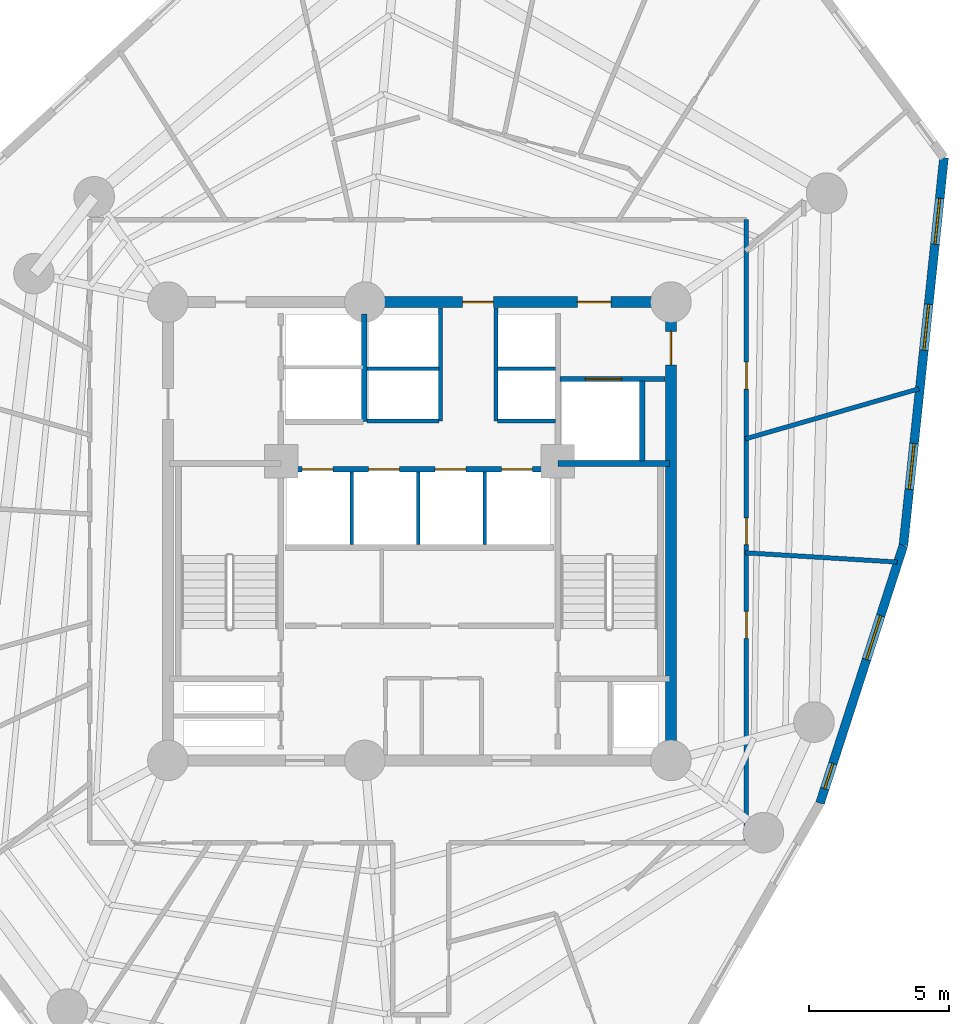
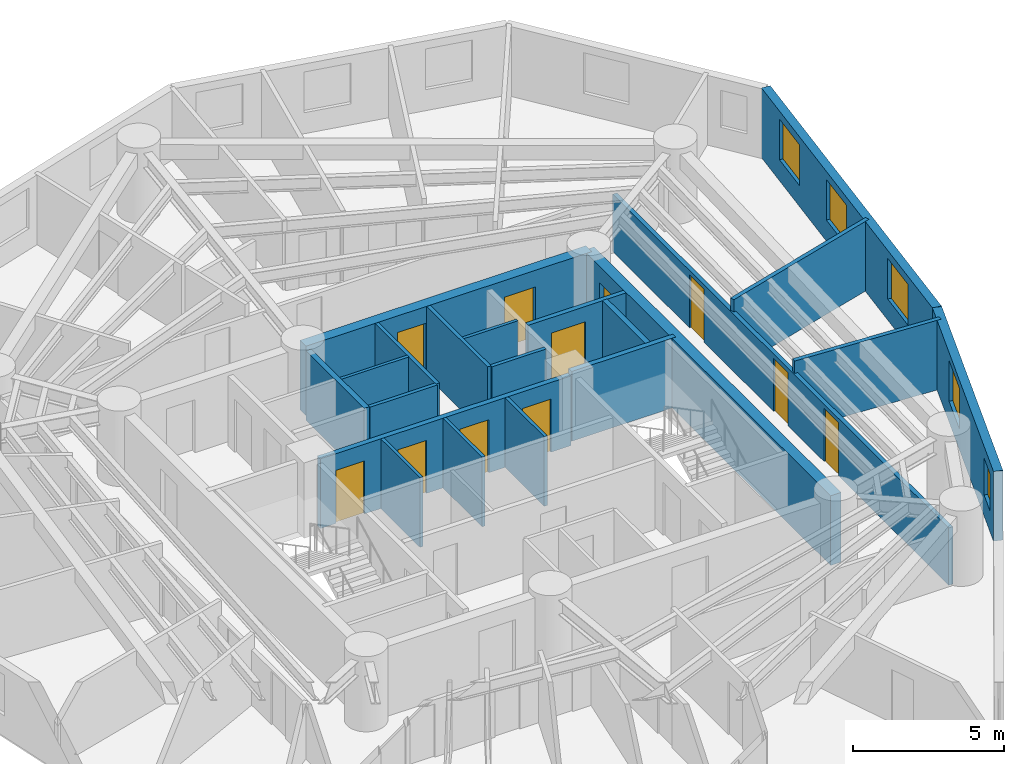
# One storey, part 5 of 8: 21 walls, 11 doors, 5 windows, 16 openings.
"""IFC4 building model written with IfcOpenShell, lengths in metres."""

from ifc_helpers import new_model, si_unit, direction, frame, frame_2d, origin, origin_with_axes, place, context, subcontext, project, spatial, rectangle, extrude, source, transform, mapped, material, layer, layer_set, type_object, element, fill, save


model = new_model("IFC4")

# Units and contexts
model_context = context("Model", 3, precision=1e-05, world=origin(), true_north=direction((0.0, 1.0)))
body_context = subcontext(model_context, "Body", "Model", "MODEL_VIEW")
ifc_project = project(units=[si_unit("LENGTHUNIT", "METRE"), si_unit("AREAUNIT", "SQUARE_METRE"), si_unit("VOLUMEUNIT", "CUBIC_METRE"), si_unit("PLANEANGLEUNIT", "RADIAN"), si_unit("MASSUNIT", "GRAM", prefix="KILO")], contexts=[model_context])

# Site, building, storey
site_placement = place(None, origin())
site = spatial("IfcSite", under=ifc_project, at=site_placement, CompositionType="ELEMENT")
building_placement = place(site_placement, origin())
building = spatial("IfcBuilding", under=site, at=building_placement, Name="Karkom Vertical University and Central Library", CompositionType="ELEMENT")
storey_placement = place(building_placement, frame((0.0, 0.0, 141.949951171875)))
storey = spatial("IfcBuildingStorey", under=building, at=storey_placement, Name="L40", CompositionType="ELEMENT", Elevation=141.949951171875)

# Wall, openings, windows
ifc_material_1 = material(Name="Brick-faced precast concrete C45/55", Category="masonry")
ifc_layer_1 = layer(ifc_material_1, 0.320068359375)
ifc_layer_set_1 = layer_set([ifc_layer_1], Name="Brick-faced precast concrete C45/55")
wall_type_1 = type_object("IfcWallType", Name="ENV-WL-BRK-320", PredefinedType="SOLIDWALL", material=ifc_layer_set_1)
wall_1_placement = place(storey_placement, frame((42.8359375, 16.7685546875, 0.0), z_axis=(0.0, 0.0, 1.0), x_axis=(0.307672133186, 0.951492437417, 0.0)))
wall_1 = element("IfcWall", 1, at=wall_1_placement, inside=storey, type_object=wall_type_1, Name="Level 40 Brick-Faced Precast Facade Wall 07", PredefinedType="SOLIDWALL", context=body_context, shape_type="SweptSolid", body=[
    extrude(rectangle(XDim=9.69677734375, YDim=0.320068359375, at=frame_2d((4.848388671875, 0.0))), origin(), (0.0, 0.0, 1.0), 2.824951171875),
])
opening_1_placement = place(wall_1_placement, frame((0.5478515625, 0.0, 0.85009765625)))
opening_1 = element("IfcOpeningElement", 2, at=opening_1_placement, cuts=wall_1, Name="Opening WN-12", PredefinedType="OPENING", context=body_context, shape_type="SweptSolid", body=[
    extrude(rectangle(XDim=0.949951171875, YDim=1.5, at=frame_2d((0.47509765625, 0.75))), frame((0.0, 0.169921875, 0.0), z_axis=(0.0, -1.0, 0.0), x_axis=(1.0, 0.0, 0.0)), (0.0, 0.0, 1.0), 0.340087890625),
])
opening_2_placement = place(wall_1_placement, frame((5.40380859375, 0.0, 0.85009765625)))
opening_2 = element("IfcOpeningElement", 3, at=opening_2_placement, cuts=wall_1, Name="Opening WN-06", PredefinedType="OPENING", context=body_context, shape_type="SweptSolid", body=[
    extrude(rectangle(XDim=1.64990234375, YDim=1.64990234375, at=frame_2d((0.824951171875, 0.824951171875))), frame((0.0, 0.169921875, 0.0), z_axis=(0.0, -1.0, 0.0), x_axis=(1.0, 0.0, 0.0)), (0.0, 0.0, 1.0), 0.340087890625),
])
ifc_material_2 = material(Name="Aluminium thermal-break frame with solar-control IGU", Category="aluminium")
window_type_1 = type_object("IfcWindowType", Name="ENV-WIN-WN-06", PartitioningType="SINGLE_PANEL", PredefinedType="WINDOW", material=ifc_material_2)
shared_shape_1 = source(origin_with_axes(), body_context, "Body", "SweptSolid", [
    extrude(rectangle(XDim=1.64990234375, YDim=1.64990234375, at=frame_2d((0.824951171875, 0.824951171875))), frame((0.0, 0.030029296875, 0.0), z_axis=(0.0, -1.0, 0.0), x_axis=(1.0, 0.0, 0.0)), (0.0, 0.0, 1.0), 0.06005859375),
])
window_1_placement = place(opening_2_placement, origin())
window_1 = element("IfcWindow", 4, at=window_1_placement, inside=storey, type_object=window_type_1, Name="Level 40 Punched Window 7.2", OverallHeight=1.64990234375, OverallWidth=1.64990234375, PartitioningType="SINGLE_PANEL", PredefinedType="WINDOW", context=body_context, shape_type="MappedRepresentation", body=[
    mapped(shared_shape_1, transform((0.0, 0.0, 0.0), scale=1.0)),
])
fill(opening_2, window_1)
window_type_2 = type_object("IfcWindowType", Name="ENV-WIN-WN-12", PartitioningType="SINGLE_PANEL", PredefinedType="WINDOW", material=ifc_material_2)
shared_shape_2 = source(origin_with_axes(), body_context, "Body", "SweptSolid", [
    extrude(rectangle(XDim=0.949951171875, YDim=1.5, at=frame_2d((0.47509765625, 0.75))), frame((0.0, 0.030029296875, 0.0), z_axis=(0.0, -1.0, 0.0), x_axis=(1.0, 0.0, 0.0)), (0.0, 0.0, 1.0), 0.06005859375),
])
window_2_placement = place(opening_1_placement, origin())
window_2 = element("IfcWindow", 5, at=window_2_placement, inside=storey, type_object=window_type_2, Name="Level 40 Punched Window 7.1", OverallHeight=1.5, OverallWidth=0.949951171875, PartitioningType="SINGLE_PANEL", PredefinedType="WINDOW", context=body_context, shape_type="MappedRepresentation", body=[
    mapped(shared_shape_2, transform((0.0, 0.0, 0.0), scale=1.0)),
])
fill(opening_1, window_2)

wall_2_placement = place(storey_placement, frame((45.8193359375, 25.994873046875, 0.0), z_axis=(0.0, 0.0, 1.0), x_axis=(0.104139122077, 0.994562739727, 0.0)))
wall_2 = element("IfcWall", 6, at=wall_2_placement, inside=storey, type_object=wall_type_1, Name="Level 40 Brick-Faced Precast Facade Wall 08", PredefinedType="SOLIDWALL", context=body_context, shape_type="SweptSolid", body=[
    extrude(rectangle(XDim=13.951416015625, YDim=0.320068359375, at=frame_2d((6.9755859375, 0.0))), origin(), (0.0, 0.0, 1.0), 2.824951171875),
])
opening_3_placement = place(wall_2_placement, frame((2.013916015625, 0.0, 0.85009765625)))
opening_3 = element("IfcOpeningElement", 7, at=opening_3_placement, cuts=wall_2, Name="Opening WN-06", PredefinedType="OPENING", context=body_context, shape_type="SweptSolid", body=[
    extrude(rectangle(XDim=1.64990234375, YDim=1.64990234375, at=frame_2d((0.824951171875, 0.824951171875))), frame((0.0, 0.169921875, 0.0), z_axis=(0.0, -1.0, 0.0), x_axis=(1.0, 0.0, 0.0)), (0.0, 0.0, 1.0), 0.340087890625),
])
opening_4_placement = place(wall_2_placement, frame((7.021484375, 0.0, 0.85009765625)))
opening_4 = element("IfcOpeningElement", 8, at=opening_4_placement, cuts=wall_2, Name="Opening WN-06", PredefinedType="OPENING", context=body_context, shape_type="SweptSolid", body=[
    extrude(rectangle(XDim=1.64990234375, YDim=1.64990234375, at=frame_2d((0.824951171875, 0.824951171875))), frame((0.0, 0.169921875, 0.0), z_axis=(0.0, -1.0, 0.0), x_axis=(1.0, 0.0, 0.0)), (0.0, 0.0, 1.0), 0.340087890625),
])
opening_5_placement = place(wall_2_placement, frame((10.838134765625, 0.0, 0.85009765625)))
opening_5 = element("IfcOpeningElement", 9, at=opening_5_placement, cuts=wall_2, Name="Opening WN-06", PredefinedType="OPENING", context=body_context, shape_type="SweptSolid", body=[
    extrude(rectangle(XDim=1.64990234375, YDim=1.64990234375, at=frame_2d((0.824951171875, 0.824951171875))), frame((0.0, 0.169921875, 0.0), z_axis=(0.0, -1.0, 0.0), x_axis=(1.0, 0.0, 0.0)), (0.0, 0.0, 1.0), 0.340087890625),
])
window_3_placement = place(opening_3_placement, origin())
window_3 = element("IfcWindow", 10, at=window_3_placement, inside=storey, type_object=window_type_1, Name="Level 40 Punched Window 8.1", OverallHeight=1.64990234375, OverallWidth=1.64990234375, PartitioningType="SINGLE_PANEL", PredefinedType="WINDOW", context=body_context, shape_type="MappedRepresentation", body=[
    mapped(shared_shape_1, transform((0.0, 0.0, 0.0), scale=1.0)),
])
fill(opening_3, window_3)
window_4_placement = place(opening_4_placement, origin())
window_4 = element("IfcWindow", 11, at=window_4_placement, inside=storey, type_object=window_type_1, Name="Level 40 Punched Window 8.2", OverallHeight=1.64990234375, OverallWidth=1.64990234375, PartitioningType="SINGLE_PANEL", PredefinedType="WINDOW", context=body_context, shape_type="MappedRepresentation", body=[
    mapped(shared_shape_1, transform((0.0, 0.0, 0.0), scale=1.0)),
])
fill(opening_4, window_4)
window_5_placement = place(opening_5_placement, origin())
window_5 = element("IfcWindow", 12, at=window_5_placement, inside=storey, type_object=window_type_1, Name="Level 40 Punched Window 8.3", OverallHeight=1.64990234375, OverallWidth=1.64990234375, PartitioningType="SINGLE_PANEL", PredefinedType="WINDOW", context=body_context, shape_type="MappedRepresentation", body=[
    mapped(shared_shape_1, transform((0.0, 0.0, 0.0), scale=1.0)),
])
fill(opening_5, window_5)

# Wall, openings, doors
ifc_material_3 = material(Name="Insulated metal-stud drywall 160mm", Category="gypsum")
ifc_layer_2 = layer(ifc_material_3, 0.159912109375)
ifc_layer_set_2 = layer_set([ifc_layer_2], Name="Insulated metal-stud drywall 160mm")
wall_type_2 = type_object("IfcWallType", Name="INT-WL-COR-160", PredefinedType="PARTITIONING", material=ifc_layer_set_2)
wall_3_placement = place(storey_placement, frame((40.199951171875, 37.64990234375, 0.0), z_axis=(0.0, 0.0, 1.0), x_axis=(0.0, -1.0, 0.0)))
wall_3 = element("IfcWall", 13, at=wall_3_placement, inside=storey, type_object=wall_type_2, Name="Level 40 Interior Partition Wall L40-CORW-CW-004", PredefinedType="PARTITIONING", context=body_context, shape_type="SweptSolid", body=[
    extrude(rectangle(XDim=22.2998046875, YDim=0.159912109375, at=frame_2d((11.14990234375, 0.0))), origin(), (0.0, 0.0, 1.0), 2.324951171875),
])
opening_6_placement = place(wall_3_placement, frame((14.02001953125, 0.0, 0.0)))
opening_6 = element("IfcOpeningElement", 14, at=opening_6_placement, cuts=wall_3, Name="Opening FD-RM2", PredefinedType="OPENING", context=body_context, shape_type="SweptSolid", body=[
    extrude(rectangle(XDim=0.9599609375, YDim=2.14990234375, at=frame_2d((0.47998046875, 1.074951171875))), frame((0.0, 0.08984375, 0.0), z_axis=(0.0, -1.0, 0.0), x_axis=(1.0, 0.0, 0.0)), (0.0, 0.0, 1.0), 0.179931640625),
])
opening_7_placement = place(wall_3_placement, frame((10.675048828125, 0.0, 0.0)))
opening_7 = element("IfcOpeningElement", 15, at=opening_7_placement, cuts=wall_3, Name="Opening D-RM1", PredefinedType="OPENING", context=body_context, shape_type="SweptSolid", body=[
    extrude(rectangle(XDim=0.949951171875, YDim=2.14990234375, at=frame_2d((0.47509765625, 1.074951171875))), frame((0.0, 0.08984375, 0.0), z_axis=(0.0, -1.0, 0.0), x_axis=(1.0, 0.0, 0.0)), (0.0, 0.0, 1.0), 0.179931640625),
])
opening_8_placement = place(wall_3_placement, frame((5.10009765625, 0.0, 0.0)))
opening_8 = element("IfcOpeningElement", 16, at=opening_8_placement, cuts=wall_3, Name="Opening FD-RM2", PredefinedType="OPENING", context=body_context, shape_type="SweptSolid", body=[
    extrude(rectangle(XDim=0.9599609375, YDim=2.14990234375, at=frame_2d((0.47998046875, 1.074951171875))), frame((0.0, 0.08984375, 0.0), z_axis=(0.0, -1.0, 0.0), x_axis=(1.0, 0.0, 0.0)), (0.0, 0.0, 1.0), 0.179931640625),
])
ifc_material_4 = material(Name="Fire-rated oak veneer door", Category="wood")
door_type_1 = type_object("IfcDoorType", Name="INT-DR-FRM2", OperationType="NOTDEFINED", PredefinedType="DOOR", material=ifc_material_4)
shared_shape_3 = source(origin_with_axes(), body_context, "Body", "SweptSolid", [
    extrude(rectangle(XDim=0.9599609375, YDim=2.14990234375, at=frame_2d((0.47998046875, 1.074951171875))), frame((0.0, 0.02490234375, 0.0), z_axis=(0.0, -1.0, 0.0), x_axis=(1.0, 0.0, 0.0)), (0.0, 0.0, 1.0), 0.050048828125),
])
door_1_placement = place(opening_6_placement, origin())
door_1 = element("IfcDoor", 17, at=door_1_placement, inside=storey, type_object=door_type_1, Name="Level 40 Room Entry Door 110", OperationType="SINGLE_SWING_LEFT", OverallHeight=2.14990234375, OverallWidth=0.9599609375, PredefinedType="DOOR", context=body_context, shape_type="MappedRepresentation", body=[
    mapped(shared_shape_3, transform((0.0, 0.0, 0.0), scale=1.0)),
])
fill(opening_6, door_1)
door_2_placement = place(opening_8_placement, origin())
door_2 = element("IfcDoor", 18, at=door_2_placement, inside=storey, type_object=door_type_1, Name="Level 40 Room Entry Door 130", OperationType="SINGLE_SWING_LEFT", OverallHeight=2.14990234375, OverallWidth=0.9599609375, PredefinedType="DOOR", context=body_context, shape_type="MappedRepresentation", body=[
    mapped(shared_shape_3, transform((0.0, 0.0, 0.0), scale=1.0)),
])
fill(opening_8, door_2)
ifc_material_5 = material(Name="Solid-core oak veneer door", Category="wood")
door_type_2 = type_object("IfcDoorType", Name="INT-DR-RM1", OperationType="NOTDEFINED", PredefinedType="DOOR", material=ifc_material_5)
shared_shape_4 = source(origin_with_axes(), body_context, "Body", "SweptSolid", [
    extrude(rectangle(XDim=0.949951171875, YDim=2.14990234375, at=frame_2d((0.47509765625, 1.074951171875))), frame((0.0, 0.02490234375, 0.0), z_axis=(0.0, -1.0, 0.0), x_axis=(1.0, 0.0, 0.0)), (0.0, 0.0, 1.0), 0.050048828125),
])
door_3_placement = place(opening_7_placement, origin())
door_3 = element("IfcDoor", 19, at=door_3_placement, inside=storey, type_object=door_type_2, Name="Level 40 Room Entry Door 120", OperationType="SINGLE_SWING_RIGHT", OverallHeight=2.14990234375, OverallWidth=0.949951171875, PredefinedType="DOOR", context=body_context, shape_type="MappedRepresentation", body=[
    mapped(shared_shape_4, transform((0.0, 0.0, 0.0), scale=1.0)),
])
fill(opening_7, door_3)

# Walls
wall_4_placement = place(storey_placement, frame((40.171142578125, 29.80712890625, 0.0), z_axis=(0.0, 0.0, 1.0), x_axis=(0.960768592646, 0.277351241904, 0.0)))
element("IfcWall", 20, at=wall_4_placement, inside=storey, type_object=wall_type_2, Name="Level 40 Interior Partition Wall L40-PW-015", PredefinedType="PARTITIONING", context=body_context, shape_type="SweptSolid", body=[
    extrude(rectangle(XDim=6.45849609375, YDim=0.159912109375, at=frame_2d((3.229248046875, 0.0))), origin(), (0.0, 0.0, 1.0), 2.824951171875),
])
wall_5_placement = place(storey_placement, frame((40.170166015625, 25.728759765625, 0.0), z_axis=(0.0, 0.0, 1.0), x_axis=(0.998147818111, -0.060835295679, 0.0)))
element("IfcWall", 21, at=wall_5_placement, inside=storey, type_object=wall_type_2, Name="Level 40 Interior Partition Wall L40-PW-014", PredefinedType="PARTITIONING", context=body_context, shape_type="SweptSolid", body=[
    extrude(rectangle(XDim=5.437744140625, YDim=0.159912109375, at=frame_2d((2.71875, 0.0))), origin(), (0.0, 0.0, 1.0), 2.824951171875),
])
ifc_material_6 = material(Name="Moisture-resistant drywall 120mm", Category="gypsum")
ifc_layer_3 = layer(ifc_material_6, 0.1201171875)
ifc_layer_set_3 = layer_set([ifc_layer_3], Name="Moisture-resistant drywall 120mm")
wall_type_3 = type_object("IfcWallType", Name="INT-WL-INT-120H", PredefinedType="PARTITIONING", material=ifc_layer_set_3)
for number, where, z_axis, x_axis, name in (
    (22, (26.080078125, 26.02001953125, 0.0), (0.0, 0.0, 1.0), (0.0, 1.0, 0.0), "Level 40 Interior Partition Wall L40-CW-PM-DIV1"),
    (23, (28.4599609375, 26.02001953125, 0.0), (0.0, 0.0, 1.0), (0.0, 1.0, 0.0), "Level 40 Interior Partition Wall L40-CW-PM-DIV2"),
    (24, (30.840087890625, 26.02001953125, 0.0), (0.0, 0.0, 1.0), (0.0, 1.0, 0.0), "Level 40 Interior Partition Wall L40-CW-PM-DIV3"),
):
    element("IfcWall", number, at=place(storey_placement, frame(where, z_axis=z_axis, x_axis=x_axis)), inside=storey, type_object=wall_type_3, Name=name, PredefinedType="PARTITIONING", context=body_context, shape_type="SweptSolid", body=[
        extrude(rectangle(XDim=2.60009765625, YDim=0.1201171875, at=frame_2d((1.300048828125, 0.0))), origin(), (0.0, 0.0, 1.0), 2.824951171875),
    ])
wall_6_placement = place(storey_placement, frame((26.6201171875, 32.320068359375, 0.0), z_axis=(0.0, 0.0, 1.0), x_axis=(1.0, 0.0, 0.0)))
element("IfcWall", 25, at=wall_6_placement, inside=storey, type_object=wall_type_3, Name="Level 40 Interior Partition Wall L40-CW-PH-MW", PredefinedType="PARTITIONING", context=body_context, shape_type="SweptSolid", body=[
    extrude(rectangle(XDim=2.579833984375, YDim=0.1201171875, at=frame_2d((1.2900390625, 0.0))), origin(), (0.0, 0.0, 1.0), 2.824951171875),
])
wall_7_placement = place(storey_placement, frame((31.300048828125, 32.320068359375, 0.0), z_axis=(0.0, 0.0, 1.0), x_axis=(1.0, 0.0, 0.0)))
element("IfcWall", 26, at=wall_7_placement, inside=storey, type_object=wall_type_3, Name="Level 40 Interior Partition Wall L40-CW-PH-ME", PredefinedType="PARTITIONING", context=body_context, shape_type="SweptSolid", body=[
    extrude(rectangle(XDim=2.074951171875, YDim=0.1201171875, at=frame_2d((1.03759765625, 0.0))), origin(), (0.0, 0.0, 1.0), 2.824951171875),
])
ifc_material_7 = material(Name="Metal-stud gypsum partition 140mm", Category="gypsum")
ifc_layer_4 = layer(ifc_material_7, 0.139892578125)
ifc_layer_set_4 = layer_set([ifc_layer_4], Name="Metal-stud gypsum partition 140mm")
wall_type_4 = type_object("IfcWallType", Name="INT-WL-SUB-140H", PredefinedType="PARTITIONING", material=ifc_layer_set_4)
for number, where, z_axis, x_axis, name in (
    (27, (29.260009765625, 30.449951171875, 0.0), (0.0, 0.0, 1.0), (0.0, 1.0, 0.0), "Level 40 Interior Partition Wall L40-CW-PH-W"),
    (28, (31.239990234375, 30.449951171875, 0.0), (0.0, 0.0, 1.0), (0.0, 1.0, 0.0), "Level 40 Interior Partition Wall L40-CW-PH-E"),
):
    element("IfcWall", number, at=place(storey_placement, frame(where, z_axis=z_axis, x_axis=x_axis)), inside=storey, type_object=wall_type_4, Name=name, PredefinedType="PARTITIONING", context=body_context, shape_type="SweptSolid", body=[
        extrude(rectangle(XDim=4.04296875, YDim=0.139892578125, at=frame_2d((2.021484375, 0.0))), origin(), (0.0, 0.0, 1.0), 2.824951171875),
    ])
wall_8_placement = place(storey_placement, frame((26.6201171875, 30.449951171875, 0.0), z_axis=(0.0, 0.0, 1.0), x_axis=(1.0, 0.0, 0.0)))
element("IfcWall", 29, at=wall_8_placement, inside=storey, type_object=wall_type_4, Name="Level 40 Interior Partition Wall L40-CW-PH-S1", PredefinedType="PARTITIONING", context=body_context, shape_type="SweptSolid", body=[
    extrude(rectangle(XDim=2.579833984375, YDim=0.139892578125, at=frame_2d((1.2900390625, 0.0))), origin(), (0.0, 0.0, 1.0), 2.824951171875),
])
wall_9_placement = place(storey_placement, frame((31.300048828125, 30.449951171875, 0.0), z_axis=(0.0, 0.0, 1.0), x_axis=(1.0, 0.0, 0.0)))
element("IfcWall", 30, at=wall_9_placement, inside=storey, type_object=wall_type_4, Name="Level 40 Interior Partition Wall L40-CW-PH-S2", PredefinedType="PARTITIONING", context=body_context, shape_type="SweptSolid", body=[
    extrude(rectangle(XDim=2.074951171875, YDim=0.139892578125, at=frame_2d((1.03759765625, 0.0))), origin(), (0.0, 0.0, 1.0), 2.824951171875),
])

# Wall, opening, door
ifc_material_8 = material(Name="Twin-stud acoustic drywall 180mm", Category="gypsum")
ifc_layer_5 = layer(ifc_material_8, 0.179931640625)
ifc_layer_set_5 = layer_set([ifc_layer_5], Name="Twin-stud acoustic drywall 180mm")
wall_type_5 = type_object("IfcWallType", Name="INT-WL-TEN-180F", PredefinedType="PARTITIONING", material=ifc_layer_set_5)
wall_10_placement = place(storey_placement, frame((33.534912109375, 31.949951171875, 0.0), z_axis=(0.0, 0.0, 1.0), x_axis=(1.0, 0.0, 0.0)))
wall_10 = element("IfcWall", 31, at=wall_10_placement, inside=storey, type_object=wall_type_5, Name="Level 40 Interior Partition Wall L40-CW-SVL-N", PredefinedType="PARTITIONING", context=body_context, shape_type="SweptSolid", body=[
    extrude(rectangle(XDim=3.7587890625, YDim=0.179931640625, at=frame_2d((1.87939453125, 0.0))), origin(), (0.0, 0.0, 1.0), 2.824951171875),
])
opening_9_placement = place(wall_10_placement, frame((0.89990234375, 0.0, 0.0)))
opening_9 = element("IfcOpeningElement", 32, at=opening_9_placement, cuts=wall_10, Name="Opening LD-SV1", PredefinedType="OPENING", context=body_context, shape_type="SweptSolid", body=[
    extrude(rectangle(XDim=1.300048828125, YDim=2.199951171875, at=frame_2d((0.64990234375, 1.10009765625))), frame((0.0, 0.10009765625, 0.0), z_axis=(0.0, -1.0, 0.0), x_axis=(1.0, 0.0, 0.0)), (0.0, 0.0, 1.0), 0.199951171875),
])
ifc_material_9 = material(Name="Brushed stainless-steel landing door", Category="steel")
door_type_3 = type_object("IfcDoorType", Name="INT-DR-LD-SV1", OperationType="SLIDING_TO_LEFT", PredefinedType="DOOR", material=ifc_material_9)
shared_shape_5 = source(origin_with_axes(), body_context, "Body", "SweptSolid", [
    extrude(rectangle(XDim=1.300048828125, YDim=2.199951171875, at=frame_2d((0.64990234375, 1.10009765625))), frame((0.0, 0.02490234375, 0.0), z_axis=(0.0, -1.0, 0.0), x_axis=(1.0, 0.0, 0.0)), (0.0, 0.0, 1.0), 0.050048828125),
])
door_4_placement = place(opening_9_placement, origin())
door_4 = element("IfcDoor", 33, at=door_4_placement, inside=storey, type_object=door_type_3, Name="Level 40 Service Lift Landing Door LD-SV1", OperationType="SLIDING_TO_LEFT", OverallHeight=2.199951171875, OverallWidth=1.300048828125, PredefinedType="DOOR", context=body_context, shape_type="MappedRepresentation", body=[
    mapped(shared_shape_5, transform((0.0, 0.0, 0.0), scale=1.0)),
])
fill(opening_9, door_4)

ifc_material_10 = material(Name="Concrete C50/60", Category="concrete")
ifc_layer_6 = layer(ifc_material_10, 0.39990234375)
ifc_layer_set_6 = layer_set([ifc_layer_6], Name="Concrete C50/60")
wall_type_6 = type_object("IfcWallType", Name="STR-WL-CW-400", PredefinedType="SHEAR", material=ifc_layer_set_6)
wall_11_placement = place(storey_placement, frame((37.5, 18.300048828125, 0.0), z_axis=(0.0, 0.0, 1.0), x_axis=(0.0, 1.0, 0.0)))
wall_11 = element("IfcWall", 34, at=wall_11_placement, inside=storey, type_object=wall_type_6, Name="Level 40 Central Core Shear Wall EW", PredefinedType="SHEAR", context=body_context, shape_type="SweptSolid", body=[
    extrude(rectangle(XDim=16.39990234375, YDim=0.39990234375, at=frame_2d((8.199951171875, 0.0))), origin(), (0.0, 0.0, 1.0), 2.824951171875),
])
opening_10_placement = place(wall_11_placement, frame((14.14990234375, 0.0, 0.0)))
opening_10 = element("IfcOpeningElement", 35, at=opening_10_placement, cuts=wall_11, Name="Opening FD-SUB1", PredefinedType="OPENING", context=body_context, shape_type="SweptSolid", body=[
    extrude(rectangle(XDim=1.199951171875, YDim=2.14990234375, at=frame_2d((0.60009765625, 1.074951171875))), frame((0.0, 0.2099609375, 0.0), z_axis=(0.0, -1.0, 0.0), x_axis=(1.0, 0.0, 0.0)), (0.0, 0.0, 1.0), 0.419921875),
])
ifc_material_11 = material(Name="Painted steel fire door", Category="steel")
door_type_4 = type_object("IfcDoorType", Name="INT-DR-SUB1", OperationType="NOTDEFINED", PredefinedType="DOOR", material=ifc_material_11)
shared_shape_6 = source(origin_with_axes(), body_context, "Body", "SweptSolid", [
    extrude(rectangle(XDim=1.199951171875, YDim=2.14990234375, at=frame_2d((0.60009765625, 1.074951171875))), frame((0.0, 0.02490234375, 0.0), z_axis=(0.0, -1.0, 0.0), x_axis=(1.0, 0.0, 0.0)), (0.0, 0.0, 1.0), 0.050048828125),
])
door_5_placement = place(opening_10_placement, origin())
door_5 = element("IfcDoor", 36, at=door_5_placement, inside=storey, type_object=door_type_4, Name="Level 40 East Corridor Service Lobby Door", OperationType="SINGLE_SWING_LEFT", OverallHeight=2.14990234375, OverallWidth=1.199951171875, PredefinedType="DOOR", context=body_context, shape_type="MappedRepresentation", body=[
    mapped(shared_shape_6, transform((0.0, 0.0, 0.0), scale=1.0)),
])
fill(opening_10, door_5)

# Wall, openings, doors
wall_12_placement = place(storey_placement, frame((37.5, 34.699951171875, 0.0), z_axis=(0.0, 0.0, 1.0), x_axis=(-1.0, 0.0, 0.0)))
wall_12 = element("IfcWall", 37, at=wall_12_placement, inside=storey, type_object=wall_type_6, Name="Level 40 Central Core Shear Wall NW1", PredefinedType="SHEAR", context=body_context, shape_type="SweptSolid", body=[
    extrude(rectangle(XDim=10.949951171875, YDim=0.39990234375, at=frame_2d((5.47509765625, 0.0))), origin(), (0.0, 0.0, 1.0), 2.824951171875),
])
opening_11_placement = place(wall_12_placement, frame((2.14990234375, 0.0, 0.0)))
opening_11 = element("IfcOpeningElement", 38, at=opening_11_placement, cuts=wall_12, Name="Opening FD-SUB1", PredefinedType="OPENING", context=body_context, shape_type="SweptSolid", body=[
    extrude(rectangle(XDim=1.199951171875, YDim=2.14990234375, at=frame_2d((0.60009765625, 1.074951171875))), frame((0.0, 0.2099609375, 0.0), z_axis=(0.0, -1.0, 0.0), x_axis=(1.0, 0.0, 0.0)), (0.0, 0.0, 1.0), 0.419921875),
])
opening_12_placement = place(wall_12_placement, frame((6.35009765625, 0.0, 0.0)))
opening_12 = element("IfcOpeningElement", 39, at=opening_12_placement, cuts=wall_12, Name="Opening FD-FFL", PredefinedType="OPENING", context=body_context, shape_type="SweptSolid", body=[
    extrude(rectangle(XDim=1.10009765625, YDim=2.14990234375, at=frame_2d((0.550048828125, 1.074951171875))), frame((0.0, 0.2099609375, 0.0), z_axis=(0.0, -1.0, 0.0), x_axis=(1.0, 0.0, 0.0)), (0.0, 0.0, 1.0), 0.419921875),
])
ifc_material_12 = material(Name="Painted steel smoke-seal fire door", Category="steel")
door_type_5 = type_object("IfcDoorType", Name="INT-DR-FFL", OperationType="NOTDEFINED", PredefinedType="DOOR", material=ifc_material_12)
shared_shape_7 = source(origin_with_axes(), body_context, "Body", "SweptSolid", [
    extrude(rectangle(XDim=1.10009765625, YDim=2.14990234375, at=frame_2d((0.550048828125, 1.074951171875))), frame((0.0, 0.02490234375, 0.0), z_axis=(0.0, -1.0, 0.0), x_axis=(1.0, 0.0, 0.0)), (0.0, 0.0, 1.0), 0.050048828125),
])
door_6_placement = place(opening_12_placement, origin())
door_6 = element("IfcDoor", 40, at=door_6_placement, inside=storey, type_object=door_type_5, Name="Level 40 North Core Lobby Exit Door", OperationType="SINGLE_SWING_RIGHT", OverallHeight=2.14990234375, OverallWidth=1.10009765625, PredefinedType="DOOR", context=body_context, shape_type="MappedRepresentation", body=[
    mapped(shared_shape_7, transform((0.0, 0.0, 0.0), scale=1.0)),
])
fill(opening_12, door_6)
door_7_placement = place(opening_11_placement, origin())
door_7 = element("IfcDoor", 41, at=door_7_placement, inside=storey, type_object=door_type_4, Name="Level 40 Service Lobby Fire Door", OperationType="SINGLE_SWING_RIGHT", OverallHeight=2.14990234375, OverallWidth=1.199951171875, PredefinedType="DOOR", context=body_context, shape_type="MappedRepresentation", body=[
    mapped(shared_shape_6, transform((0.0, 0.0, 0.0), scale=1.0)),
])
fill(opening_11, door_7)

ifc_material_13 = material(Name="Concrete C45/55", Category="concrete")
ifc_layer_7 = layer(ifc_material_13, 0.199951171875)
ifc_layer_set_7 = layer_set([ifc_layer_7], Name="Concrete C45/55")
wall_type_7 = type_object("IfcWallType", Name="STR-WL-ST-200", PredefinedType="SHEAR", material=ifc_layer_set_7)
wall_13_placement = place(storey_placement, frame((23.699951171875, 28.719970703125, 0.0), z_axis=(0.0, 0.0, 1.0), x_axis=(1.0, 0.0, 0.0)))
wall_13 = element("IfcWall", 42, at=wall_13_placement, inside=storey, type_object=wall_type_7, Name="Level 40 Core Shaft Wall L40-CW-B2-N", PredefinedType="SHEAR", context=body_context, shape_type="SweptSolid", body=[
    extrude(rectangle(XDim=9.60009765625, YDim=0.199951171875, at=frame_2d((4.800048828125, 0.0))), origin(), (0.0, 0.0, 1.0), 2.824951171875),
])
opening_13_placement = place(wall_13_placement, frame((0.60009765625, 0.0, 0.0)))
opening_13 = element("IfcOpeningElement", 43, at=opening_13_placement, cuts=wall_13, Name="Opening LD-PAX", PredefinedType="OPENING", context=body_context, shape_type="SweptSolid", body=[
    extrude(rectangle(XDim=1.10009765625, YDim=2.14990234375, at=frame_2d((0.550048828125, 1.074951171875))), frame((0.0, 0.10986328125, 0.0), z_axis=(0.0, -1.0, 0.0), x_axis=(1.0, 0.0, 0.0)), (0.0, 0.0, 1.0), 0.219970703125),
])
opening_14_placement = place(wall_13_placement, frame((2.97998046875, 0.0, 0.0)))
opening_14 = element("IfcOpeningElement", 44, at=opening_14_placement, cuts=wall_13, Name="Opening LD-PAX", PredefinedType="OPENING", context=body_context, shape_type="SweptSolid", body=[
    extrude(rectangle(XDim=1.10009765625, YDim=2.14990234375, at=frame_2d((0.550048828125, 1.074951171875))), frame((0.0, 0.10986328125, 0.0), z_axis=(0.0, -1.0, 0.0), x_axis=(1.0, 0.0, 0.0)), (0.0, 0.0, 1.0), 0.219970703125),
])
opening_15_placement = place(wall_13_placement, frame((5.360107421875, 0.0, 0.0)))
opening_15 = element("IfcOpeningElement", 45, at=opening_15_placement, cuts=wall_13, Name="Opening LD-PAX", PredefinedType="OPENING", context=body_context, shape_type="SweptSolid", body=[
    extrude(rectangle(XDim=1.10009765625, YDim=2.14990234375, at=frame_2d((0.550048828125, 1.074951171875))), frame((0.0, 0.10986328125, 0.0), z_axis=(0.0, -1.0, 0.0), x_axis=(1.0, 0.0, 0.0)), (0.0, 0.0, 1.0), 0.219970703125),
])
opening_16_placement = place(wall_13_placement, frame((7.739990234375, 0.0, 0.0)))
opening_16 = element("IfcOpeningElement", 46, at=opening_16_placement, cuts=wall_13, Name="Opening LD-PAX", PredefinedType="OPENING", context=body_context, shape_type="SweptSolid", body=[
    extrude(rectangle(XDim=1.10009765625, YDim=2.14990234375, at=frame_2d((0.550048828125, 1.074951171875))), frame((0.0, 0.10986328125, 0.0), z_axis=(0.0, -1.0, 0.0), x_axis=(1.0, 0.0, 0.0)), (0.0, 0.0, 1.0), 0.219970703125),
])
door_type_6 = type_object("IfcDoorType", Name="INT-DR-LD-PAX", OperationType="SLIDING_TO_LEFT", PredefinedType="DOOR", material=ifc_material_9)
door_8_placement = place(opening_13_placement, origin())
door_8 = element("IfcDoor", 47, at=door_8_placement, inside=storey, type_object=door_type_6, Name="Level 40 Lift PM-1 Landing Door", OperationType="SLIDING_TO_LEFT", OverallHeight=2.14990234375, OverallWidth=1.10009765625, PredefinedType="DOOR", context=body_context, shape_type="MappedRepresentation", body=[
    mapped(shared_shape_7, transform((0.0, 0.0, 0.0), scale=1.0)),
])
fill(opening_13, door_8)
door_9_placement = place(opening_14_placement, origin())
door_9 = element("IfcDoor", 48, at=door_9_placement, inside=storey, type_object=door_type_6, Name="Level 40 Lift PM-2 Landing Door", OperationType="SLIDING_TO_RIGHT", OverallHeight=2.14990234375, OverallWidth=1.10009765625, PredefinedType="DOOR", context=body_context, shape_type="MappedRepresentation", body=[
    mapped(shared_shape_7, transform((0.0, 0.0, 0.0), scale=1.0)),
])
fill(opening_14, door_9)
door_10_placement = place(opening_15_placement, origin())
door_10 = element("IfcDoor", 49, at=door_10_placement, inside=storey, type_object=door_type_6, Name="Level 40 Lift PM-3 Landing Door", OperationType="SLIDING_TO_LEFT", OverallHeight=2.14990234375, OverallWidth=1.10009765625, PredefinedType="DOOR", context=body_context, shape_type="MappedRepresentation", body=[
    mapped(shared_shape_7, transform((0.0, 0.0, 0.0), scale=1.0)),
])
fill(opening_15, door_10)
door_11_placement = place(opening_16_placement, origin())
door_11 = element("IfcDoor", 50, at=door_11_placement, inside=storey, type_object=door_type_6, Name="Level 40 Lift PM-4 Landing Door", OperationType="SLIDING_TO_RIGHT", OverallHeight=2.14990234375, OverallWidth=1.10009765625, PredefinedType="DOOR", context=body_context, shape_type="MappedRepresentation", body=[
    mapped(shared_shape_7, transform((0.0, 0.0, 0.0), scale=1.0)),
])
fill(opening_16, door_11)

# Walls
wall_14_placement = place(storey_placement, frame((33.455078125, 28.925048828125, 0.0), z_axis=(0.0, 0.0, 1.0), x_axis=(1.0, 0.0, 0.0)))
element("IfcWall", 51, at=wall_14_placement, inside=storey, type_object=wall_type_7, Name="Level 40 Core Shaft Wall L40-CW-ST2-N", PredefinedType="SHEAR", context=body_context, shape_type="SweptSolid", body=[
    extrude(rectangle(XDim=3.994873046875, YDim=0.199951171875, at=frame_2d((1.99755859375, 0.0))), origin(), (0.0, 0.0, 1.0), 2.824951171875),
])
wall_15_placement = place(storey_placement, frame((26.52001953125, 30.419921875, 0.0), z_axis=(0.0, 0.0, 1.0), x_axis=(0.0, 1.0, 0.0)))
element("IfcWall", 52, at=wall_15_placement, inside=storey, type_object=wall_type_7, Name="Level 40 Core Shaft Wall L40-CW-FFL-E", PredefinedType="SHEAR", context=body_context, shape_type="SweptSolid", body=[
    extrude(rectangle(XDim=3.860107421875, YDim=0.199951171875, at=frame_2d((1.93017578125, 0.0))), origin(), (0.0, 0.0, 1.0), 2.824951171875),
])
wall_16_placement = place(storey_placement, frame((36.47998046875, 29.02001953125, 0.0), z_axis=(0.0, 0.0, 1.0), x_axis=(0.0, 1.0, 0.0)))
element("IfcWall", 53, at=wall_16_placement, inside=storey, type_object=wall_type_7, Name="Level 40 Core Shaft Wall L40-CW-SVL-E", PredefinedType="SHEAR", context=body_context, shape_type="SweptSolid", body=[
    extrude(rectangle(XDim=2.85986328125, YDim=0.199951171875, at=frame_2d((1.429931640625, 0.0))), origin(), (0.0, 0.0, 1.0), 2.824951171875),
])

save(model, "model.ifc")
